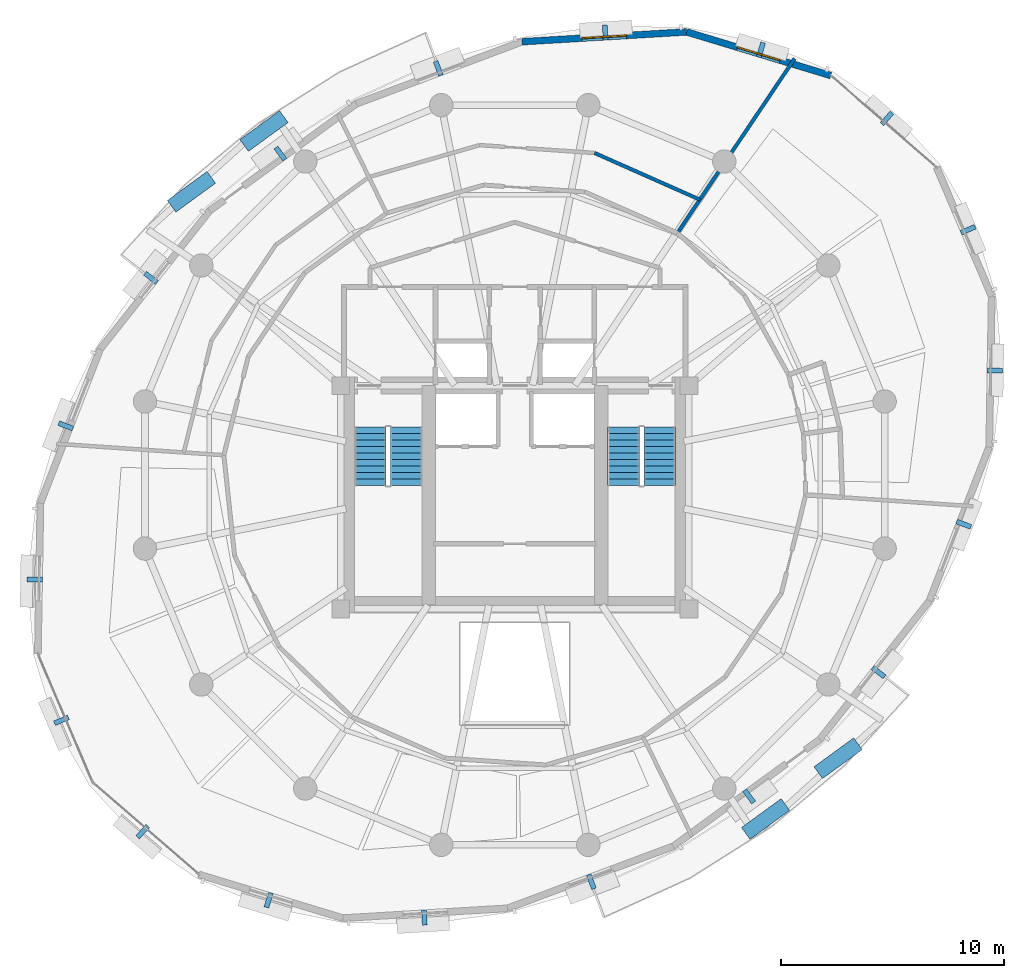
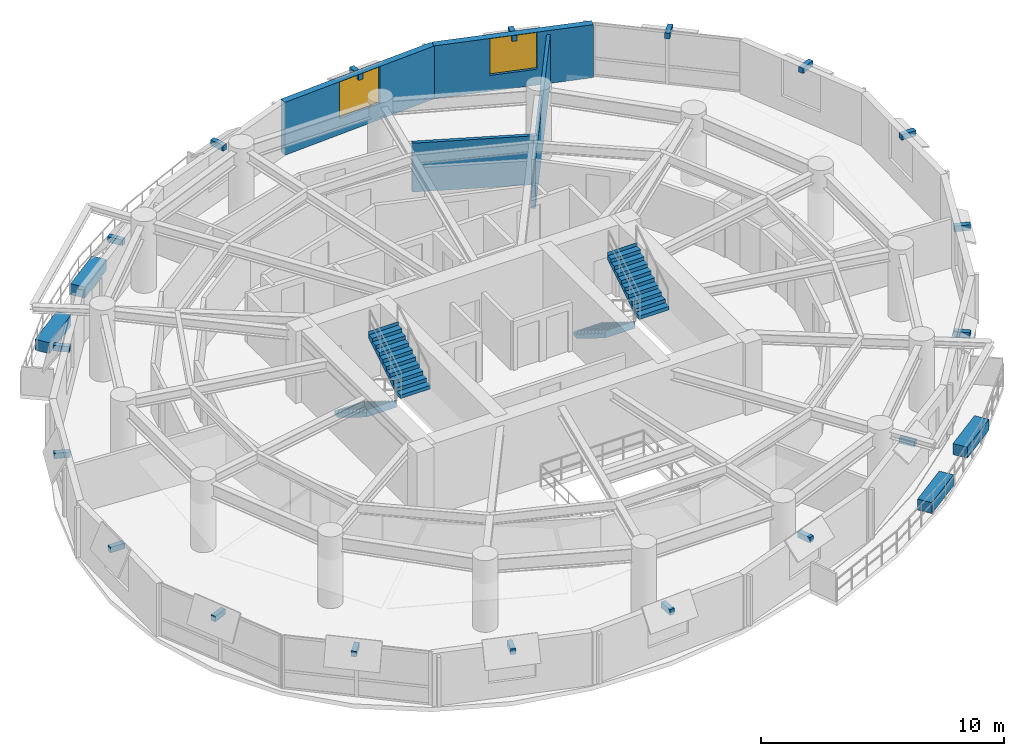
# One storey, part 10 of 12: 22 discrete accessories, 4 stair flights, 4 walls, 2 windows, 2 openings, 2 elements without a shape of their own.
"""IFC4 building model written with IfcOpenShell, lengths in metres."""

from ifc_helpers import new_model, si_unit, direction, frame, frame_2d, origin, origin_2d, place, context, subcontext, project, spatial, polyline, rectangle, outline, extrude, material, layer, layer_set, type_object, element, fill, aggregate, save


model = new_model("IFC4")

# Units and contexts
model_context = context("Model", 3, precision=1e-05, world=origin(), true_north=direction((0.0, 1.0)))
body_context = subcontext(model_context, "Body", "Model", "MODEL_VIEW")
ifc_project = project(units=[si_unit("LENGTHUNIT", "METRE"), si_unit("AREAUNIT", "SQUARE_METRE"), si_unit("VOLUMEUNIT", "CUBIC_METRE"), si_unit("PLANEANGLEUNIT", "RADIAN"), si_unit("MASSUNIT", "GRAM", prefix="KILO"), si_unit("THERMODYNAMICTEMPERATUREUNIT", "KELVIN"), si_unit("POWERUNIT", "WATT")], contexts=[model_context])

# Site, building, storey
site_placement = place(None, origin())
site = spatial("IfcSite", under=ifc_project, at=site_placement, CompositionType="ELEMENT")
building_placement = place(site_placement, origin())
building = spatial("IfcBuilding", under=site, at=building_placement, Name="Ocrelia Relay Tower", CompositionType="ELEMENT")
storey_placement = place(building_placement, frame((0.0, 0.0, 184.39990234375)))
storey = spatial("IfcBuildingStorey", under=building, at=storey_placement, Name="L44", CompositionType="ELEMENT", Elevation=184.39990234375)

# Wall, opening, window
ifc_material_1 = material(Name="Precast concrete C40/50 with oxide terracotta", Category="masonry")
ifc_layer_1 = layer(ifc_material_1, 0.300048828125, Name="Precast concrete C40/50 with oxide terracotta")
ifc_layer_set_1 = layer_set([ifc_layer_1], Name="Precast concrete C40/50 with oxide terracotta")
wall_type_1 = type_object("IfcWallType", Name="W-EXT-TERR-300", PredefinedType="SOLIDWALL", material=ifc_layer_set_1)
wall_1_placement = place(storey_placement, frame((48.15966796875, 43.90234375, 0.0), z_axis=(0.0, 0.0, 1.0), x_axis=(-0.957028666132, 0.289993331306, 0.0)))
wall_1 = element("IfcWall", 1, at=wall_1_placement, inside=storey, type_object=wall_type_1, Name="L44 Oxide Terracotta Facade Wall 02", PredefinedType="SOLIDWALL", context=body_context, shape_type="SweptSolid", body=[
    extrude(rectangle(XDim=6.7451171875, YDim=0.300048828125, at=frame_2d((3.37255859375, 0.0))), origin(), (0.0, 0.0, 1.0), 2.66015625),
])
opening_1_placement = place(wall_1_placement, frame((2.373046875, 0.0, 0.800048828125)))
opening_1 = element("IfcOpeningElement", 2, at=opening_1_placement, cuts=wall_1, Name="Opening W-03", PredefinedType="OPENING", context=body_context, shape_type="SweptSolid", body=[
    extrude(rectangle(XDim=2.0, YDim=1.85009765625, at=frame_2d((1.0, 0.925048828125))), frame((0.0, 0.16015625, 0.0), z_axis=(0.0, -1.0, 0.0), x_axis=(1.0, 0.0, 0.0)), (0.0, 0.0, 1.0), 0.320068359375),
])
ifc_material_2 = material(Name="Clear double-glazed low-E glass", Category="glass")
window_type = type_object("IfcWindowType", Name="WIN-Z3-2000x2200", PartitioningType="DOUBLE_PANEL_VERTICAL", PredefinedType="WINDOW", material=ifc_material_2)
window_1_placement = place(opening_1_placement, origin())
window_1 = element("IfcWindow", 3, at=window_1_placement, inside=storey, type_object=window_type, Name="L44 Facade Module Window 02", OverallHeight=1.85009765625, OverallWidth=2.0, PartitioningType="SINGLE_PANEL", PredefinedType="WINDOW", context=body_context, shape_type="SweptSolid", body=[
    extrude(rectangle(XDim=2.0, YDim=1.85009765625, at=frame_2d((1.0, 0.925048828125))), frame((0.0, 0.030029296875, 0.0), z_axis=(0.0, -1.0, 0.0), x_axis=(1.0, 0.0, 0.0)), (0.0, 0.0, 1.0), 0.06005859375),
])
fill(opening_1, window_1)

wall_2_placement = place(storey_placement, frame((41.704345703125, 45.8583984375, 0.0), z_axis=(0.0, 0.0, 1.0), x_axis=(-0.998233967271, -0.059404937385, 0.0)))
wall_2 = element("IfcWall", 4, at=wall_2_placement, inside=storey, type_object=wall_type_1, Name="L44 Oxide Terracotta Facade Wall 03", PredefinedType="SOLIDWALL", context=body_context, shape_type="SweptSolid", body=[
    extrude(rectangle(XDim=7.397705078125, YDim=0.300048828125, at=frame_2d((3.69873046875, 0.0))), origin(), (0.0, 0.0, 1.0), 2.66015625),
])
opening_2_placement = place(wall_2_placement, frame((2.698974609375, 0.0, 0.800048828125)))
opening_2 = element("IfcOpeningElement", 5, at=opening_2_placement, cuts=wall_2, Name="Opening W-03", PredefinedType="OPENING", context=body_context, shape_type="SweptSolid", body=[
    extrude(rectangle(XDim=2.0, YDim=1.85009765625, at=frame_2d((1.0, 0.925048828125))), frame((0.0, 0.16015625, 0.0), z_axis=(0.0, -1.0, 0.0), x_axis=(1.0, 0.0, 0.0)), (0.0, 0.0, 1.0), 0.320068359375),
])
window_2_placement = place(opening_2_placement, origin())
window_2 = element("IfcWindow", 6, at=window_2_placement, inside=storey, type_object=window_type, Name="L44 Facade Module Window 03", OverallHeight=1.85009765625, OverallWidth=2.0, PartitioningType="SINGLE_PANEL", PredefinedType="WINDOW", context=body_context, shape_type="SweptSolid", body=[
    extrude(rectangle(XDim=2.0, YDim=1.85009765625, at=frame_2d((1.0, 0.925048828125))), frame((0.0, 0.030029296875, 0.0), z_axis=(0.0, -1.0, 0.0), x_axis=(1.0, 0.0, 0.0)), (0.0, 0.0, 1.0), 0.06005859375),
])
fill(opening_2, window_2)

# Walls
ifc_material_3 = material(Name="Acoustic Fireboard Partition EI60", Category="gypsum")
ifc_layer_2 = layer(ifc_material_3, 0.159912109375, Name="Acoustic Fireboard Partition EI60")
ifc_layer_set_2 = layer_set([ifc_layer_2], Name="Acoustic Fireboard Partition EI60")
wall_type_2 = type_object("IfcWallType", Name="W-PART-160", PredefinedType="PARTITIONING", material=ifc_layer_set_2)
wall_3_placement = place(storey_placement, frame((41.289794921875, 36.848388671875, 0.0), z_axis=(0.0, 0.0, 1.0), x_axis=(0.557742049501, 0.830014340971, 0.0)))
element("IfcWall", 7, at=wall_3_placement, inside=storey, type_object=wall_type_2, Name="L44 Technical Reference Library Radial Partition", PredefinedType="PARTITIONING", context=body_context, shape_type="SweptSolid", body=[
    extrude(rectangle(XDim=9.416015625, YDim=0.159912109375, at=frame_2d((4.7080078125, 0.0))), origin(), (0.0, 0.0, 1.0), 2.460205078125),
])
wall_4_placement = place(storey_placement, frame((42.293701171875, 38.34228515625, 0.0), z_axis=(0.0, 0.0, 1.0), x_axis=(-0.914251594609, 0.405146913791, 0.0)))
element("IfcWall", 8, at=wall_4_placement, inside=storey, type_object=wall_type_2, Name="L44 Perimeter Cloud Engineering Workspace Mid-Ring Partition 1", PredefinedType="PARTITIONING", context=body_context, shape_type="SweptSolid", body=[
    extrude(rectangle(XDim=5.164306640625, YDim=0.159912109375, at=frame_2d((2.58203125, 0.0))), origin(), (0.0, 0.0, 1.0), 2.460205078125),
])

# Stair, stair flights
ifc_material_4 = material(Name="Concrete C50/60", Category="concrete")
stair_type = type_object("IfcStairType", Name="ST-DL-1420-R180", PredefinedType="HALF_TURN_STAIR", material=ifc_material_4)
stair_1_placement = place(storey_placement, origin())
stair_1 = element("IfcStair", 9, at=stair_1_placement, inside=storey, type_object=stair_type, Name="L44 West Core Exit Stair ST1", PredefinedType="HALF_TURN_STAIR")
stair_flight_type = type_object("IfcStairFlightType", Name="STF-DL-1420-R180", PredefinedType="STRAIGHT", material=ifc_material_4)
stair_flight_1_placement = place(storey_placement, frame((27.52001953125, 28.14990234375, 0.0), z_axis=(0.0, 0.0, 1.0), x_axis=(0.0, -1.0, 0.0)))
stair_flight_1 = element("IfcStairFlight", 10, at=stair_flight_1_placement, type_object=stair_flight_type, Name="ST1 flight 1", NumberOfRisers=10, NumberOfTreads=9, PredefinedType="STRAIGHT", RiserHeight=0.18, TreadLength=0.29, context=body_context, shape_type="SweptSolid", body=[
    extrude(outline(polyline([(-0.008056640625, 0.0), (-0.008056640625, 0.179931640625), (0.0, 0.179931640625), (0.2900390625, 0.179931640625), (0.2900390625, 0.360107421875), (0.580078125, 0.360107421875), (0.580078125, 0.5400390625), (0.8701171875, 0.5400390625), (0.8701171875, 0.719970703125), (1.159912109375, 0.719970703125), (1.159912109375, 0.89990234375), (1.449951171875, 0.89990234375), (1.449951171875, 1.080078125), (1.739990234375, 1.080078125), (1.739990234375, 1.260009765625), (2.030029296875, 1.260009765625), (2.030029296875, 1.43994140625), (2.320068359375, 1.43994140625), (2.320068359375, 1.6201171875), (2.610107421875, 1.6201171875), (2.610107421875, 1.800048828125), (2.617919921875, 1.800048828125), (2.617919921875, 1.443603515625), (0.2841796875, 0.0), (-0.008056640625, 0.0)])), frame((0.0, 0.7099609375, 0.0), z_axis=(0.0, -1.0, 0.0), x_axis=(1.0, 0.0, 0.0)), (0.0, 0.0, 1.0), 1.419921875),
])
stair_flight_2_placement = place(storey_placement, frame((29.139892578125, 25.5400390625, 1.800048828125), z_axis=(0.0, 0.0, 1.0), x_axis=(0.0, 1.0, 0.0)))
stair_flight_2 = element("IfcStairFlight", 11, at=stair_flight_2_placement, type_object=stair_flight_type, Name="ST1 flight 2", NumberOfRisers=10, NumberOfTreads=9, PredefinedType="STRAIGHT", RiserHeight=0.18, TreadLength=0.29, context=body_context, shape_type="SweptSolid", body=[
    extrude(outline(polyline([(-0.008056640625, 0.0), (-0.008056640625, 0.179931640625), (0.0, 0.179931640625), (0.2900390625, 0.179931640625), (0.2900390625, 0.360107421875), (0.580078125, 0.360107421875), (0.580078125, 0.5400390625), (0.8701171875, 0.5400390625), (0.8701171875, 0.719970703125), (1.159912109375, 0.719970703125), (1.159912109375, 0.89990234375), (1.449951171875, 0.89990234375), (1.449951171875, 1.080078125), (1.739990234375, 1.080078125), (1.739990234375, 1.260009765625), (2.030029296875, 1.260009765625), (2.030029296875, 1.43994140625), (2.320068359375, 1.43994140625), (2.320068359375, 1.6201171875), (2.610107421875, 1.6201171875), (2.610107421875, 1.800048828125), (2.617919921875, 1.800048828125), (2.617919921875, 1.443603515625), (0.2841796875, 0.0), (-0.008056640625, 0.0)])), frame((0.0, 0.7099609375, 0.0), z_axis=(0.0, -1.0, 0.0), x_axis=(1.0, 0.0, 0.0)), (0.0, 0.0, 1.0), 1.419921875),
])
aggregate(stair_1, [stair_flight_1, stair_flight_2])

stair_2_placement = place(storey_placement, origin())
stair_2 = element("IfcStair", 12, at=stair_2_placement, inside=storey, type_object=stair_type, Name="L44 East Core Exit Stair ST2", PredefinedType="HALF_TURN_STAIR")
stair_flight_3_placement = place(storey_placement, frame((38.8701171875, 28.14990234375, 0.0), z_axis=(0.0, 0.0, 1.0), x_axis=(0.0, -1.0, 0.0)))
stair_flight_3 = element("IfcStairFlight", 13, at=stair_flight_3_placement, type_object=stair_flight_type, Name="ST2 flight 1", NumberOfRisers=10, NumberOfTreads=9, PredefinedType="STRAIGHT", RiserHeight=0.18, TreadLength=0.29, context=body_context, shape_type="SweptSolid", body=[
    extrude(outline(polyline([(-0.008056640625, 0.0), (-0.008056640625, 0.179931640625), (0.0, 0.179931640625), (0.2900390625, 0.179931640625), (0.2900390625, 0.360107421875), (0.580078125, 0.360107421875), (0.580078125, 0.5400390625), (0.8701171875, 0.5400390625), (0.8701171875, 0.719970703125), (1.159912109375, 0.719970703125), (1.159912109375, 0.89990234375), (1.449951171875, 0.89990234375), (1.449951171875, 1.080078125), (1.739990234375, 1.080078125), (1.739990234375, 1.260009765625), (2.030029296875, 1.260009765625), (2.030029296875, 1.43994140625), (2.320068359375, 1.43994140625), (2.320068359375, 1.6201171875), (2.610107421875, 1.6201171875), (2.610107421875, 1.800048828125), (2.617919921875, 1.800048828125), (2.617919921875, 1.443603515625), (0.2841796875, 0.0), (-0.008056640625, 0.0)])), frame((0.0, 0.7099609375, 0.0), z_axis=(0.0, -1.0, 0.0), x_axis=(1.0, 0.0, 0.0)), (0.0, 0.0, 1.0), 1.419921875),
])
stair_flight_4_placement = place(storey_placement, frame((40.489990234375, 25.5400390625, 1.800048828125), z_axis=(0.0, 0.0, 1.0), x_axis=(0.0, 1.0, 0.0)))
stair_flight_4 = element("IfcStairFlight", 14, at=stair_flight_4_placement, type_object=stair_flight_type, Name="ST2 flight 2", NumberOfRisers=10, NumberOfTreads=9, PredefinedType="STRAIGHT", RiserHeight=0.18, TreadLength=0.29, context=body_context, shape_type="SweptSolid", body=[
    extrude(outline(polyline([(-0.008056640625, 0.0), (-0.008056640625, 0.179931640625), (0.0, 0.179931640625), (0.2900390625, 0.179931640625), (0.2900390625, 0.360107421875), (0.580078125, 0.360107421875), (0.580078125, 0.5400390625), (0.8701171875, 0.5400390625), (0.8701171875, 0.719970703125), (1.159912109375, 0.719970703125), (1.159912109375, 0.89990234375), (1.449951171875, 0.89990234375), (1.449951171875, 1.080078125), (1.739990234375, 1.080078125), (1.739990234375, 1.260009765625), (2.030029296875, 1.260009765625), (2.030029296875, 1.43994140625), (2.320068359375, 1.43994140625), (2.320068359375, 1.6201171875), (2.610107421875, 1.6201171875), (2.610107421875, 1.800048828125), (2.617919921875, 1.800048828125), (2.617919921875, 1.443603515625), (0.2841796875, 0.0), (-0.008056640625, 0.0)])), frame((0.0, 0.7099609375, 0.0), z_axis=(0.0, -1.0, 0.0), x_axis=(1.0, 0.0, 0.0)), (0.0, 0.0, 1.0), 1.419921875),
])
aggregate(stair_2, [stair_flight_3, stair_flight_4])

# Discrete accessories
ifc_material_5 = material(Name="Precast concrete C40/50 planter with highland greenery", Category="concrete")
discrete_accessory_type_1 = type_object("IfcDiscreteAccessoryType", Name="ACC-BALC-PLANTER", PredefinedType="USERDEFINED", material=ifc_material_5)
for number, where, z_axis, x_axis, name in (
    (15, (22.759765625, 41.414306640625, 0.0), (0.0, 0.0, 1.0), (0.8079944664, 0.589190073123, 0.0), "L44 Balcony Terracotta Planter with Greenery B1"),
    (16, (19.509521484375, 38.693115234375, 0.0), (0.0, 0.0, 1.0), (0.8079944664, 0.589190073123, 0.0), "L44 Balcony Terracotta Planter B1-2"),
    (17, (45.240234375, 10.585693359375, 0.0), (0.0, 0.0, 1.0), (-0.8079944664, -0.589190073123, 0.0), "L44 Balcony Terracotta Planter with Greenery B2"),
    (18, (48.490478515625, 13.306884765625, 0.0), (0.0, 0.0, 1.0), (-0.8079944664, -0.589190073123, 0.0), "L44 Balcony Terracotta Planter B2-2"),
):
    element("IfcDiscreteAccessory", number, at=place(storey_placement, frame(where, z_axis=z_axis, x_axis=x_axis)), inside=storey, type_object=discrete_accessory_type_1, Name=name, ObjectType="PLANTER", PredefinedType="USERDEFINED", context=body_context, shape_type="SweptSolid", body=[
        extrude(rectangle(XDim=2.199951171875, YDim=0.64990234375, at=origin_2d()), origin(), (0.0, 0.0, 1.0), 0.550048828125),
    ])
ifc_material_6 = material(Name="Steel S355", Category="steel")
discrete_accessory_type_2 = type_object("IfcDiscreteAccessoryType", Name="ACC-VISOR-BRACKET", PredefinedType="BRACKET", material=ifc_material_6)
for number, where, z_axis, x_axis, name in (
    (19, (50.677734375, 41.983154296875, 2.35986328125), (0.0, 0.0, 1.0), (-0.755627109499, 0.655002039226, 0.0), "L44 Visor Mounting Bracket 01"),
    (20, (45.0322265625, 45.053466796875, 2.35986328125), (0.0, 0.0, 1.0), (-0.957034753041, 0.289973242683, 0.0), "L44 Visor Mounting Bracket 02"),
    (21, (38.052001953125, 45.834716796875, 2.35986328125), (0.0, 0.0, 1.0), (-0.998234382857, -0.059397953524, 0.0), "L44 Visor Mounting Bracket 03"),
    (22, (30.5712890625, 44.224609375, 2.35986328125), (0.0, 0.0, 1.0), (-0.936417280816, -0.350888409881, 0.0), "L44 Visor Mounting Bracket 04"),
    (23, (23.495849609375, 40.40478515625, 2.35986328125), (0.0, 0.0, 1.0), (-0.807991542672, -0.5891940826, 0.0), "L44 Visor Mounting Bracket 05"),
    (24, (17.69580078125, 34.835693359375, 2.35986328125), (0.0, 0.0, 1.0), (-0.620347134048, -0.784327376341, 0.0), "L44 Visor Mounting Bracket 06"),
    (25, (13.876220703125, 28.205078125, 2.35986328125), (0.0, 0.0, 1.0), (-0.361700518189, -0.932294339327, 0.0), "L44 Visor Mounting Bracket 07"),
    (26, (12.486083984375, 21.3203125, 2.35986328125), (0.0, 0.0, 1.0), (-0.016471423596, -0.9998643369, 0.0), "L44 Visor Mounting Bracket 08"),
    (27, (13.68359375, 15.006591796875, 2.35986328125), (0.0, 0.0, 1.0), (0.392651069891, -0.91968752156, 0.0), "L44 Visor Mounting Bracket 09"),
    (28, (17.322265625, 10.016845703125, 2.35986328125), (0.0, 0.0, 1.0), (0.755627109499, -0.655002039226, 0.0), "L44 Visor Mounting Bracket 10"),
    (29, (22.9677734375, 6.946533203125, 2.35986328125), (0.0, 0.0, 1.0), (0.957034753041, -0.289973242683, 0.0), "L44 Visor Mounting Bracket 11"),
    (30, (29.947998046875, 6.165283203125, 2.35986328125), (0.0, 0.0, 1.0), (0.998234382857, 0.059397953524, 0.0), "L44 Visor Mounting Bracket 12"),
    (31, (37.4287109375, 7.775390625, 2.35986328125), (0.0, 0.0, 1.0), (0.936417280816, 0.350888409881, 0.0), "L44 Visor Mounting Bracket 13"),
    (32, (44.504150390625, 11.59521484375, 2.35986328125), (0.0, 0.0, 1.0), (0.807991542672, 0.5891940826, 0.0), "L44 Visor Mounting Bracket 14"),
    (33, (50.30419921875, 17.164306640625, 2.35986328125), (0.0, 0.0, 1.0), (0.620347134048, 0.784327376341, 0.0), "L44 Visor Mounting Bracket 15"),
    (34, (54.123779296875, 23.794921875, 2.35986328125), (0.0, 0.0, 1.0), (0.361700518189, 0.932294339327, 0.0), "L44 Visor Mounting Bracket 16"),
    (35, (55.513916015625, 30.6796875, 2.35986328125), (0.0, 0.0, 1.0), (0.016471423596, 0.9998643369, 0.0), "L44 Visor Mounting Bracket 17"),
    (36, (54.31640625, 36.993408203125, 2.35986328125), (0.0, 0.0, 1.0), (-0.392651069891, 0.91968752156, 0.0), "L44 Visor Mounting Bracket 18"),
):
    element("IfcDiscreteAccessory", number, at=place(storey_placement, frame(where, z_axis=z_axis, x_axis=x_axis)), inside=storey, type_object=discrete_accessory_type_2, Name=name, PredefinedType="BRACKET", context=body_context, shape_type="SweptSolid", body=[
        extrude(rectangle(XDim=0.219970703125, YDim=0.679931640625, at=origin_2d()), origin(), (0.0, 0.0, 1.0), 0.280029296875),
    ])

save(model, "model.ifc")
